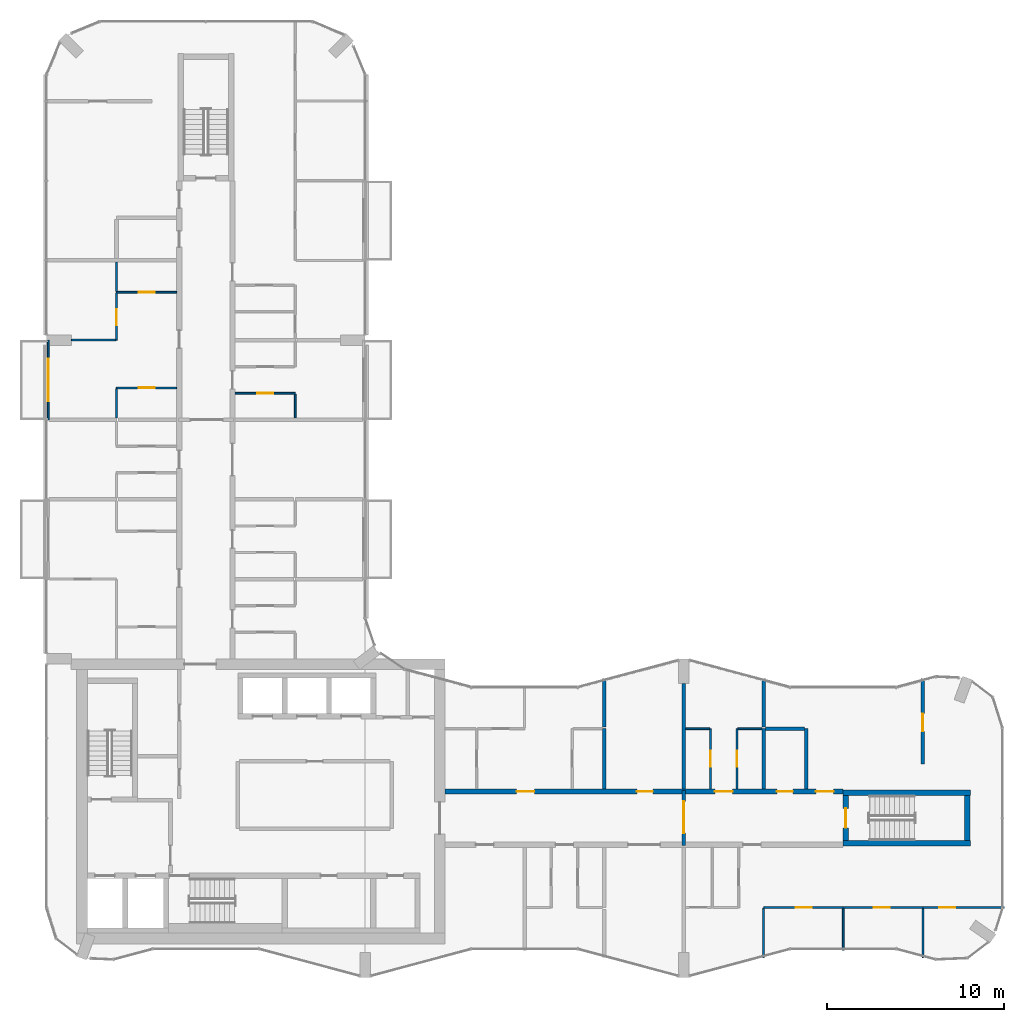
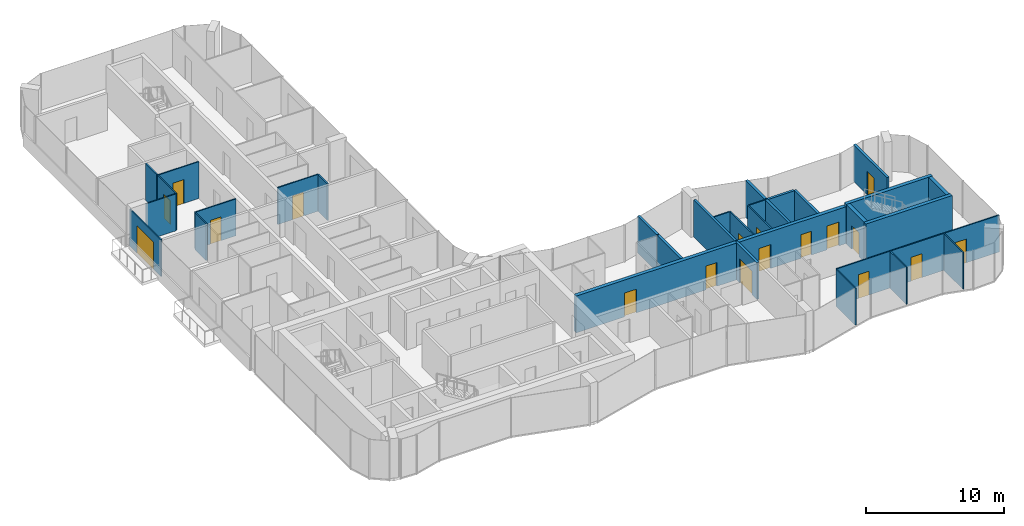
# One storey, part 12 of 17: 31 walls, 18 doors, 18 openings.
"""IFC4 building model written with IfcOpenShell, lengths in metres."""

import ifcopenshell
import ifcopenshell.guid

model = None  # the IFC model being written
_history = None  # IfcOwnerHistory: only IFC2X3 demands one
_inside = {}  # id of a spatial element -> (the spatial element, [elements in it])
_under = {}  # id of a project, library or spatial element -> (it, [spatial elements below it])
_declared = {}  # id of a project -> (the project, [libraries it declares])
_typed = {}  # id of a type object -> (the type object, [elements of that type])
_made_of = {}  # id of a material, layer set ... -> (it, [elements and type objects made of it])


def new_model(schema):
    """Start an empty IFC model of exactly this schema.

    Asked for "IFC4X3", IfcOpenShell would pick the latest addendum, in which some entities
    have other attributes; the version numbers below select the first issue.
    IFC2X3 requires an IfcOwnerHistory on every rooted entity: one is made here for all.
    """
    global model, _history
    if schema == "IFC4X3":
        model = ifcopenshell.file(schema_version=(4, 3, 0, 0))
    else:
        model = ifcopenshell.file(schema=schema)
    _inside.clear()
    _under.clear()
    _declared.clear()
    _typed.clear()
    _made_of.clear()
    _history = None
    if model.schema == "IFC2X3":
        org = make("IfcOrganization", Name="unknown")
        user = make(
            "IfcPersonAndOrganization",
            ThePerson=make("IfcPerson", FamilyName="unknown"),
            TheOrganization=org,
        )
        app = make(
            "IfcApplication",
            ApplicationDeveloper=org,
            Version="unknown",
            ApplicationFullName="unknown",
            ApplicationIdentifier="unknown",
        )
        _history = make(
            "IfcOwnerHistory",
            OwningUser=user,
            OwningApplication=app,
            ChangeAction="ADDED",
            CreationDate=0,
        )
    return model


def make(cls, **values):
    """One entity of the class cls with the attributes given. An attribute that is None is left unset."""
    return model.create_entity(
        cls, **{name: value for name, value in values.items() if value is not None}
    )


def rooted(cls, **values):
    """An entity with a GlobalId (a new one), such as an element, a storey or a relation."""
    return make(cls, GlobalId=ifcopenshell.guid.new(), OwnerHistory=_history, **values)


def si_unit(unit_type, name, prefix=None):
    """IfcSIUnit, for example si_unit("LENGTHUNIT", "METRE", prefix="MILLI")."""
    return make("IfcSIUnit", UnitType=unit_type, Prefix=prefix, Name=name)


def assignment(units):
    """IfcUnitAssignment: the units of a project."""
    return None if units is None else make("IfcUnitAssignment", Units=units)


def point(xyz):
    """IfcCartesianPoint."""
    return None if xyz is None else make("IfcCartesianPoint", Coordinates=xyz)


def direction(xyz):
    """IfcDirection."""
    return None if xyz is None else make("IfcDirection", DirectionRatios=xyz)


def frame(location, z_axis=None, x_axis=None):
    """IfcAxis2Placement3D, a coordinate frame: its origin and axes. An axis left out is left unset."""
    return make(
        "IfcAxis2Placement3D",
        Location=point(location),
        Axis=direction(z_axis),
        RefDirection=direction(x_axis),
    )


def frame_2d(location, x_axis=None):
    """IfcAxis2Placement2D, a coordinate frame in the plane: its origin and x axis."""
    return make(
        "IfcAxis2Placement2D", Location=point(location), RefDirection=direction(x_axis)
    )


def origin():
    """The frame at (0, 0, 0) with its axes left unset."""
    return frame((0.0, 0.0, 0.0))


def place(relative_to, where):
    """IfcLocalPlacement: puts the frame where relative to a parent placement (None: the world)."""
    return make(
        "IfcLocalPlacement", PlacementRelTo=relative_to, RelativePlacement=where
    )


def context(
    kind, dimensions, precision=None, world=None, true_north=None, identifier=None
):
    """IfcGeometricRepresentationContext, for example the 3D "Model" context."""
    return make(
        "IfcGeometricRepresentationContext",
        ContextIdentifier=identifier,
        ContextType=kind,
        CoordinateSpaceDimension=dimensions,
        Precision=precision,
        WorldCoordinateSystem=world,
        TrueNorth=true_north,
    )


def subcontext(parent, identifier, kind, view, scale=None):
    """IfcGeometricRepresentationSubContext, for example "Body" below "Model"."""
    return make(
        "IfcGeometricRepresentationSubContext",
        ContextIdentifier=identifier,
        ContextType=kind,
        ParentContext=parent,
        TargetScale=scale,
        TargetView=view,
    )


def project(units=None, contexts=None):
    """IfcProject with its units and contexts."""
    return rooted(
        "IfcProject",
        Name="project",
        RepresentationContexts=contexts,
        UnitsInContext=assignment(units),
    )


def spatial(cls, under=None, at=None, **own):
    """A site, building, storey or space (cls), placed at a placement, below another one or the project."""
    s = rooted(cls, ObjectPlacement=at, **own)
    if under is not None:
        _under.setdefault(under.id(), (under, []))[1].append(s)
    return s


def profile(cls, at=None, kind="AREA", **sizes):
    """A parametric profile (cls). Its sizes go by their IFC names, for example OverallWidth=200.0."""
    return make(cls, ProfileType=kind, Position=at, **sizes)


def rectangle(**sizes):
    """IfcRectangleProfileDef."""
    return profile("IfcRectangleProfileDef", **sizes)


def extrude(swept, where, along, depth):
    """IfcExtrudedAreaSolid: the profile swept, set in the frame where, extruded along a direction by depth."""
    return make(
        "IfcExtrudedAreaSolid",
        SweptArea=swept,
        Position=where,
        ExtrudedDirection=direction(along),
        Depth=depth,
    )


def shape(context_of_items, identifier, shape_type, items):
    """IfcShapeRepresentation: the items that make up one representation, for example the "Body"."""
    return make(
        "IfcShapeRepresentation",
        ContextOfItems=context_of_items,
        RepresentationIdentifier=identifier,
        RepresentationType=shape_type,
        Items=items,
    )


def material(Name=None, Category=None):
    """IfcMaterial."""
    return make("IfcMaterial", Name=Name, Category=Category)


def layer(
    of_material, thickness, ventilated=None, Name=None, Category=None, Priority=None
):
    """IfcMaterialLayer: one layer of a wall or slab, of a material (None: an air gap)."""
    return make(
        "IfcMaterialLayer",
        Material=of_material,
        LayerThickness=thickness,
        IsVentilated=ventilated,
        Name=Name,
        Category=Category,
        Priority=Priority,
    )


def layer_set(layers, Name=None):
    """IfcMaterialLayerSet."""
    return make("IfcMaterialLayerSet", MaterialLayers=layers, LayerSetName=Name)


def made_of(thing, what):
    """Note that an element or type object is made of a material, layer set ...; save() writes the relation."""
    if what is not None:
        _made_of.setdefault(what.id(), (what, []))[1].append(thing)
    return thing


def type_object(cls, material=None, **own):
    """A type object (cls), such as IfcWallType, which elements share."""
    return made_of(rooted(cls, **own), material)


def element(
    cls,
    number,
    at=None,
    inside=None,
    cuts=None,
    type_object=None,
    material=None,
    context=None,
    identifier="Body",
    shape_type=None,
    held_by="IfcProductDefinitionShape",
    body=None,
    shapes=None,
    **own,
):
    """One element of the class cls, such as IfcWall. Its Tag is "e" and its number.

    at: its placement. inside: the storey or other place that contains it. cuts: it is an
    opening in that element (IfcRelVoidsElement). A single representation is given by context,
    identifier, shape_type and body (its items); several are given by shapes. held_by: the class
    of the entity that holds the representations. save() writes the other relations.
    """
    e = rooted(cls, Tag="e%d" % number, ObjectPlacement=at, **own)
    if body is not None:
        shapes = [shape(context, identifier, shape_type, body)]
    if shapes is not None:
        e.Representation = make(held_by, Representations=shapes)
    if inside is not None:
        _inside.setdefault(inside.id(), (inside, []))[1].append(e)
    if cuts is not None:
        rooted(
            "IfcRelVoidsElement", RelatingBuildingElement=cuts, RelatedOpeningElement=e
        )
    if type_object is not None:
        _typed.setdefault(type_object.id(), (type_object, []))[1].append(e)
    return made_of(e, material)


def fill(opening, filler):
    """IfcRelFillsElement: the door or window that sits in an opening."""
    return rooted(
        "IfcRelFillsElement",
        RelatingOpeningElement=opening,
        RelatedBuildingElement=filler,
    )


def aggregate(whole, parts):
    """IfcRelAggregates: a whole, such as a stair, and the parts it consists of."""
    return rooted("IfcRelAggregates", RelatingObject=whole, RelatedObjects=parts)


def save(model, path):
    """Write the relations noted so far, then the file.

    IfcRelAggregates (storeys below a building ...), IfcRelContainedInSpatialStructure (elements
    in a storey), IfcRelDefinesByType, IfcRelAssociatesMaterial and IfcRelDeclares: one each for
    every whole, place, type object, material and project.
    """
    for whole, parts in _under.values():
        aggregate(whole, parts)
    for where, things in _inside.values():
        rooted(
            "IfcRelContainedInSpatialStructure",
            RelatedElements=things,
            RelatingStructure=where,
        )
    for kind, things in _typed.values():
        rooted("IfcRelDefinesByType", RelatedObjects=things, RelatingType=kind)
    for what, things in _made_of.values():
        rooted("IfcRelAssociatesMaterial", RelatedObjects=things, RelatingMaterial=what)
    for by, libraries in _declared.values():
        rooted("IfcRelDeclares", RelatingContext=by, RelatedDefinitions=libraries)
    model.write(path)


model = new_model("IFC4")

# Units and contexts
model_context = context("Model", 3, precision=1e-05, world=origin(), true_north=direction((0.0, 1.0)))
body_context = subcontext(model_context, "Body", "Model", "MODEL_VIEW")
ifc_project = project(units=[si_unit("LENGTHUNIT", "METRE"), si_unit("AREAUNIT", "SQUARE_METRE"), si_unit("VOLUMEUNIT", "CUBIC_METRE"), si_unit("PLANEANGLEUNIT", "RADIAN"), si_unit("MASSUNIT", "GRAM", prefix="KILO")], contexts=[model_context])

# Site, building, storey
site_placement = place(None, origin())
site = spatial("IfcSite", under=ifc_project, at=site_placement, CompositionType="ELEMENT")
building_placement = place(site_placement, origin())
building = spatial("IfcBuilding", under=site, at=building_placement, Name="Plateau Cross Towers", CompositionType="ELEMENT")
storey_placement = place(building_placement, frame((0.0, 0.0, 142.89990234375)))
storey = spatial("IfcBuildingStorey", under=building, at=storey_placement, Name="L36", CompositionType="ELEMENT", Elevation=142.89990234375)

# Wall, opening, door
ifc_material_1 = material(Name="Aluminium framed glazing", Category="aluminium")
ifc_layer_1 = layer(ifc_material_1, 0.10009765625)
ifc_layer_set_1 = layer_set([ifc_layer_1], Name="Aluminium framed glazing")
wall_type_1 = type_object("IfcWallType", Name="Balcony screen wall 100", PredefinedType="STANDARD", material=ifc_layer_set_1)
wall_1_placement = place(storey_placement, frame((0.10009765625, 31.5, 0.0), z_axis=(0.0, 0.0, 1.0), x_axis=(0.0, 1.0, 0.0)))
wall_1 = element("IfcWall", 1, at=wall_1_placement, inside=storey, type_object=wall_type_1, Name="Balcony screen wall A-BAL-L36-02", PredefinedType="STANDARD", context=body_context, shape_type="SweptSolid", body=[
    extrude(rectangle(XDim=4.5, YDim=0.10009765625, at=frame_2d((2.25, 0.0))), origin(), (0.0, 0.0, 1.0), 3.25),
])
opening_1_placement = place(wall_1_placement, frame((1.050048828125, 0.0, 0.0)))
opening_1 = element("IfcOpeningElement", 2, at=opening_1_placement, cuts=wall_1, Name="Opening D-B24", PredefinedType="OPENING", context=body_context, shape_type="SweptSolid", body=[
    extrude(rectangle(XDim=2.39990234375, YDim=2.39990234375, at=frame_2d((1.199951171875, 1.199951171875))), frame((0.0, 0.06005859375, 0.0), z_axis=(0.0, -1.0, 0.0), x_axis=(1.0, 0.0, 0.0)), (0.0, 0.0, 1.0), 0.1201171875),
])
ifc_material_2 = material(Name="Aluminium frame, double glazing", Category="aluminium")
door_type_1 = type_object("IfcDoorType", Name="Balcony sliding door 2400", OperationType="NOTDEFINED", PredefinedType="DOOR", material=ifc_material_2)
door_1_placement = place(opening_1_placement, origin())
door_1 = element("IfcDoor", 3, at=door_1_placement, inside=storey, type_object=door_type_1, Name="Balcony door A-BAL-L36-02", OperationType="SINGLE_SWING_LEFT", OverallHeight=2.39990234375, OverallWidth=2.39990234375, PredefinedType="DOOR", context=body_context, shape_type="SweptSolid", body=[
    extrude(rectangle(XDim=2.39990234375, YDim=2.39990234375, at=frame_2d((1.199951171875, 1.199951171875))), frame((0.0, 0.02490234375, 0.0), z_axis=(0.0, -1.0, 0.0), x_axis=(1.0, 0.0, 0.0)), (0.0, 0.0, 1.0), 0.050048828125),
])
fill(opening_1, door_1)

# Wall, openings, doors
ifc_material_3 = material(Name="Concrete C60/75", Category="concrete")
ifc_layer_2 = layer(ifc_material_3, 0.300048828125)
ifc_layer_set_2 = layer_set([ifc_layer_2], Name="Concrete C60/75")
wall_type_2 = type_object("IfcWallType", Name="Corridor wall 300", PredefinedType="SHEAR", material=ifc_layer_set_2)
wall_2_placement = place(storey_placement, frame((22.5, 10.5, 0.0), z_axis=(0.0, 0.0, 1.0), x_axis=(1.0, 0.0, 0.0)))
wall_2 = element("IfcWall", 4, at=wall_2_placement, inside=storey, type_object=wall_type_2, Name="A-cw-S2@L36", PredefinedType="SHEAR", context=body_context, shape_type="SweptSolid", body=[
    extrude(rectangle(XDim=22.5, YDim=0.300048828125, at=frame_2d((11.25, 0.0))), origin(), (0.0, 0.0, 1.0), 3.25),
])
opening_2_placement = place(wall_2_placement, frame((4.050048828125, 0.0, 0.0)))
opening_2 = element("IfcOpeningElement", 5, at=opening_2_placement, cuts=wall_2, Name="Opening 36-05", PredefinedType="OPENING", context=body_context, shape_type="SweptSolid", body=[
    extrude(rectangle(XDim=1.0, YDim=2.10009765625, at=frame_2d((0.5, 1.050048828125))), frame((0.0, 0.159912109375, 0.0), z_axis=(0.0, -1.0, 0.0), x_axis=(1.0, 0.0, 0.0)), (0.0, 0.0, 1.0), 0.320068359375),
])
opening_3_placement = place(wall_2_placement, frame((10.85009765625, 0.0, 0.0)))
opening_3 = element("IfcOpeningElement", 6, at=opening_3_placement, cuts=wall_2, Name="Opening 36-06", PredefinedType="OPENING", context=body_context, shape_type="SweptSolid", body=[
    extrude(rectangle(XDim=0.89990234375, YDim=2.10009765625, at=frame_2d((0.449951171875, 1.050048828125))), frame((0.0, 0.159912109375, 0.0), z_axis=(0.0, -1.0, 0.0), x_axis=(1.0, 0.0, 0.0)), (0.0, 0.0, 1.0), 0.320068359375),
])
opening_4_placement = place(wall_2_placement, frame((15.25, 0.0, 0.0)))
opening_4 = element("IfcOpeningElement", 7, at=opening_4_placement, cuts=wall_2, Name="Opening 36-07", PredefinedType="OPENING", context=body_context, shape_type="SweptSolid", body=[
    extrude(rectangle(XDim=1.0, YDim=2.10009765625, at=frame_2d((0.5, 1.050048828125))), frame((0.0, 0.159912109375, 0.0), z_axis=(0.0, -1.0, 0.0), x_axis=(1.0, 0.0, 0.0)), (0.0, 0.0, 1.0), 0.320068359375),
])
opening_5_placement = place(wall_2_placement, frame((18.75, 0.0, 0.0)))
opening_5 = element("IfcOpeningElement", 8, at=opening_5_placement, cuts=wall_2, Name="Opening 36-08", PredefinedType="OPENING", context=body_context, shape_type="SweptSolid", body=[
    extrude(rectangle(XDim=0.89990234375, YDim=2.10009765625, at=frame_2d((0.449951171875, 1.050048828125))), frame((0.0, 0.159912109375, 0.0), z_axis=(0.0, -1.0, 0.0), x_axis=(1.0, 0.0, 0.0)), (0.0, 0.0, 1.0), 0.320068359375),
])
opening_6_placement = place(wall_2_placement, frame((20.949951171875, 0.0, 0.0)))
opening_6 = element("IfcOpeningElement", 9, at=opening_6_placement, cuts=wall_2, Name="Opening 36-09", PredefinedType="OPENING", context=body_context, shape_type="SweptSolid", body=[
    extrude(rectangle(XDim=1.0, YDim=2.10009765625, at=frame_2d((0.5, 1.050048828125))), frame((0.0, 0.159912109375, 0.0), z_axis=(0.0, -1.0, 0.0), x_axis=(1.0, 0.0, 0.0)), (0.0, 0.0, 1.0), 0.320068359375),
])
ifc_material_4 = material(Name="Timber, fire-resisting leaf", Category="wood")
door_type_2 = type_object("IfcDoorType", Name="Flat entrance door 1000", OperationType="NOTDEFINED", PredefinedType="DOOR", material=ifc_material_4)
door_2_placement = place(opening_2_placement, origin())
door_2 = element("IfcDoor", 10, at=door_2_placement, inside=storey, type_object=door_type_2, Name="Door 36-05", OperationType="SINGLE_SWING_LEFT", OverallHeight=2.10009765625, OverallWidth=1.0, PredefinedType="DOOR", context=body_context, shape_type="SweptSolid", body=[
    extrude(rectangle(XDim=1.0, YDim=2.10009765625, at=frame_2d((0.5, 1.050048828125))), frame((0.0, 0.02490234375, 0.0), z_axis=(0.0, -1.0, 0.0), x_axis=(1.0, 0.0, 0.0)), (0.0, 0.0, 1.0), 0.050048828125),
])
fill(opening_2, door_2)
door_3_placement = place(opening_4_placement, origin())
door_3 = element("IfcDoor", 11, at=door_3_placement, inside=storey, type_object=door_type_2, Name="Door 36-07", OperationType="SINGLE_SWING_RIGHT", OverallHeight=2.10009765625, OverallWidth=1.0, PredefinedType="DOOR", context=body_context, shape_type="SweptSolid", body=[
    extrude(rectangle(XDim=1.0, YDim=2.10009765625, at=frame_2d((0.5, 1.050048828125))), frame((0.0, 0.02490234375, 0.0), z_axis=(0.0, -1.0, 0.0), x_axis=(1.0, 0.0, 0.0)), (0.0, 0.0, 1.0), 0.050048828125),
])
fill(opening_4, door_3)
door_4_placement = place(opening_6_placement, origin())
door_4 = element("IfcDoor", 12, at=door_4_placement, inside=storey, type_object=door_type_2, Name="Door 36-09", OperationType="SINGLE_SWING_RIGHT", OverallHeight=2.10009765625, OverallWidth=1.0, PredefinedType="DOOR", context=body_context, shape_type="SweptSolid", body=[
    extrude(rectangle(XDim=1.0, YDim=2.10009765625, at=frame_2d((0.5, 1.050048828125))), frame((0.0, 0.02490234375, 0.0), z_axis=(0.0, -1.0, 0.0), x_axis=(1.0, 0.0, 0.0)), (0.0, 0.0, 1.0), 0.050048828125),
])
fill(opening_6, door_4)
door_type_3 = type_object("IfcDoorType", Name="Flat floor service door 900", OperationType="NOTDEFINED", PredefinedType="DOOR", material=ifc_material_4)
door_5_placement = place(opening_3_placement, origin())
door_5 = element("IfcDoor", 13, at=door_5_placement, inside=storey, type_object=door_type_3, Name="Door 36-06", OperationType="SINGLE_SWING_RIGHT", OverallHeight=2.10009765625, OverallWidth=0.89990234375, PredefinedType="DOOR", context=body_context, shape_type="SweptSolid", body=[
    extrude(rectangle(XDim=0.89990234375, YDim=2.10009765625, at=frame_2d((0.449951171875, 1.050048828125))), frame((0.0, 0.02490234375, 0.0), z_axis=(0.0, -1.0, 0.0), x_axis=(1.0, 0.0, 0.0)), (0.0, 0.0, 1.0), 0.050048828125),
])
fill(opening_3, door_5)
door_6_placement = place(opening_5_placement, origin())
door_6 = element("IfcDoor", 14, at=door_6_placement, inside=storey, type_object=door_type_3, Name="Door 36-08", OperationType="SINGLE_SWING_RIGHT", OverallHeight=2.10009765625, OverallWidth=0.89990234375, PredefinedType="DOOR", context=body_context, shape_type="SweptSolid", body=[
    extrude(rectangle(XDim=0.89990234375, YDim=2.10009765625, at=frame_2d((0.449951171875, 1.050048828125))), frame((0.0, 0.02490234375, 0.0), z_axis=(0.0, -1.0, 0.0), x_axis=(1.0, 0.0, 0.0)), (0.0, 0.0, 1.0), 0.050048828125),
])
fill(opening_5, door_6)

ifc_material_5 = material(Name="Gypsum board on steel studs", Category="steel")
ifc_layer_3 = layer(ifc_material_5, 0.10009765625)
ifc_layer_set_3 = layer_set([ifc_layer_3], Name="Gypsum board on steel studs")
wall_type_3 = type_object("IfcWallType", Name="Flat partition 100", PredefinedType="PARTITIONING", material=ifc_layer_set_3)
wall_3_placement = place(storey_placement, frame((54.080078125, 3.949951171875, 0.0), z_axis=(0.0, 0.0, 1.0), x_axis=(-1.0, 0.0, 0.0)))
wall_3 = element("IfcWall", 15, at=wall_3_placement, inside=storey, type_object=wall_type_3, Name="Partition wall", PredefinedType="PARTITIONING", context=body_context, shape_type="SweptSolid", body=[
    extrude(rectangle(XDim=13.580078125, YDim=0.10009765625, at=frame_2d((6.7900390625, 0.0))), origin(), (0.0, 0.0, 1.0), 3.25),
])
opening_7_placement = place(wall_3_placement, frame((10.85009765625, 0.0, 0.0)))
opening_7 = element("IfcOpeningElement", 16, at=opening_7_placement, cuts=wall_3, Name="Opening 36-28", PredefinedType="OPENING", context=body_context, shape_type="SweptSolid", body=[
    extrude(rectangle(XDim=0.89990234375, YDim=2.10009765625, at=frame_2d((0.449951171875, 1.050048828125))), frame((0.0, 0.06005859375, 0.0), z_axis=(0.0, -1.0, 0.0), x_axis=(1.0, 0.0, 0.0)), (0.0, 0.0, 1.0), 0.1201171875),
])
opening_8_placement = place(wall_3_placement, frame((6.449951171875, 0.0, 0.0)))
opening_8 = element("IfcOpeningElement", 17, at=opening_8_placement, cuts=wall_3, Name="Opening 36-29", PredefinedType="OPENING", context=body_context, shape_type="SweptSolid", body=[
    extrude(rectangle(XDim=0.89990234375, YDim=2.10009765625, at=frame_2d((0.449951171875, 1.050048828125))), frame((0.0, 0.06005859375, 0.0), z_axis=(0.0, -1.0, 0.0), x_axis=(1.0, 0.0, 0.0)), (0.0, 0.0, 1.0), 0.1201171875),
])
opening_9_placement = place(wall_3_placement, frame((2.75, 0.0, 0.0)))
opening_9 = element("IfcOpeningElement", 18, at=opening_9_placement, cuts=wall_3, Name="Opening 36-30", PredefinedType="OPENING", context=body_context, shape_type="SweptSolid", body=[
    extrude(rectangle(XDim=0.89990234375, YDim=2.10009765625, at=frame_2d((0.449951171875, 1.050048828125))), frame((0.0, 0.06005859375, 0.0), z_axis=(0.0, -1.0, 0.0), x_axis=(1.0, 0.0, 0.0)), (0.0, 0.0, 1.0), 0.1201171875),
])
ifc_material_6 = material(Name="Timber leaf", Category="wood")
door_type_4 = type_object("IfcDoorType", Name="Flat room door 900", OperationType="NOTDEFINED", PredefinedType="DOOR", material=ifc_material_6)
door_7_placement = place(opening_7_placement, origin())
door_7 = element("IfcDoor", 19, at=door_7_placement, inside=storey, type_object=door_type_4, Name="Door 36-28", OperationType="SINGLE_SWING_RIGHT", OverallHeight=2.10009765625, OverallWidth=0.89990234375, PredefinedType="DOOR", context=body_context, shape_type="SweptSolid", body=[
    extrude(rectangle(XDim=0.89990234375, YDim=2.10009765625, at=frame_2d((0.449951171875, 1.050048828125))), frame((0.0, 0.02490234375, 0.0), z_axis=(0.0, -1.0, 0.0), x_axis=(1.0, 0.0, 0.0)), (0.0, 0.0, 1.0), 0.050048828125),
])
fill(opening_7, door_7)
door_8_placement = place(opening_8_placement, origin())
door_8 = element("IfcDoor", 20, at=door_8_placement, inside=storey, type_object=door_type_4, Name="Door 36-29", OperationType="SINGLE_SWING_RIGHT", OverallHeight=2.10009765625, OverallWidth=0.89990234375, PredefinedType="DOOR", context=body_context, shape_type="SweptSolid", body=[
    extrude(rectangle(XDim=0.89990234375, YDim=2.10009765625, at=frame_2d((0.449951171875, 1.050048828125))), frame((0.0, 0.02490234375, 0.0), z_axis=(0.0, -1.0, 0.0), x_axis=(1.0, 0.0, 0.0)), (0.0, 0.0, 1.0), 0.050048828125),
])
fill(opening_8, door_8)
door_9_placement = place(opening_9_placement, origin())
door_9 = element("IfcDoor", 21, at=door_9_placement, inside=storey, type_object=door_type_4, Name="Door 36-30", OperationType="SINGLE_SWING_LEFT", OverallHeight=2.10009765625, OverallWidth=0.89990234375, PredefinedType="DOOR", context=body_context, shape_type="SweptSolid", body=[
    extrude(rectangle(XDim=0.89990234375, YDim=2.10009765625, at=frame_2d((0.449951171875, 1.050048828125))), frame((0.0, 0.02490234375, 0.0), z_axis=(0.0, -1.0, 0.0), x_axis=(1.0, 0.0, 0.0)), (0.0, 0.0, 1.0), 0.050048828125),
])
fill(opening_9, door_9)

# Walls
for number, where, z_axis, x_axis, name in (
    (22, (37.449951171875, 14.050048828125, 0.0), (0.0, 0.0, 1.0), (-1.0, 0.0, 0.0), "Partition wall"),
    (23, (40.39990234375, 14.050048828125, 0.0), (0.0, 0.0, 1.0), (-1.0, 0.0, 0.0), "Partition wall"),
):
    element("IfcWall", number, at=place(storey_placement, frame(where, z_axis=z_axis, x_axis=x_axis)), inside=storey, type_object=wall_type_3, Name=name, PredefinedType="PARTITIONING", context=body_context, shape_type="SweptSolid", body=[
        extrude(rectangle(XDim=1.349853515625, YDim=0.10009765625, at=frame_2d((0.6748046875, 0.0))), origin(), (0.0, 0.0, 1.0), 3.25),
    ])

# Wall, opening, door
wall_4_placement = place(storey_placement, frame((14.050048828125, 33.0, 0.0), z_axis=(0.0, 0.0, 1.0), x_axis=(-1.0, 0.0, 0.0)))
wall_4 = element("IfcWall", 24, at=wall_4_placement, inside=storey, type_object=wall_type_3, Name="Partition wall", PredefinedType="PARTITIONING", context=body_context, shape_type="SweptSolid", body=[
    extrude(rectangle(XDim=3.400146484375, YDim=0.10009765625, at=frame_2d((1.7001953125, 0.0))), origin(), (0.0, 0.0, 1.0), 3.25),
])
opening_10_placement = place(wall_4_placement, frame((1.25, 0.0, 0.0)))
opening_10 = element("IfcOpeningElement", 25, at=opening_10_placement, cuts=wall_4, Name="Opening 36-48", PredefinedType="OPENING", context=body_context, shape_type="SweptSolid", body=[
    extrude(rectangle(XDim=0.89990234375, YDim=2.10009765625, at=frame_2d((0.449951171875, 1.050048828125))), frame((0.0, 0.06005859375, 0.0), z_axis=(0.0, -1.0, 0.0), x_axis=(1.0, 0.0, 0.0)), (0.0, 0.0, 1.0), 0.1201171875),
])
door_10_placement = place(opening_10_placement, origin())
door_10 = element("IfcDoor", 26, at=door_10_placement, inside=storey, type_object=door_type_4, Name="Door 36-48", OperationType="SINGLE_SWING_LEFT", OverallHeight=2.10009765625, OverallWidth=0.89990234375, PredefinedType="DOOR", context=body_context, shape_type="SweptSolid", body=[
    extrude(rectangle(XDim=0.89990234375, YDim=2.10009765625, at=frame_2d((0.449951171875, 1.050048828125))), frame((0.0, 0.02490234375, 0.0), z_axis=(0.0, -1.0, 0.0), x_axis=(1.0, 0.0, 0.0)), (0.0, 0.0, 1.0), 0.050048828125),
])
fill(opening_10, door_10)

wall_5_placement = place(storey_placement, frame((7.35009765625, 33.300048828125, 0.0), z_axis=(0.0, 0.0, 1.0), x_axis=(-1.0, 0.0, 0.0)))
wall_5 = element("IfcWall", 27, at=wall_5_placement, inside=storey, type_object=wall_type_3, Name="Partition wall", PredefinedType="PARTITIONING", context=body_context, shape_type="SweptSolid", body=[
    extrude(rectangle(XDim=3.400146484375, YDim=0.10009765625, at=frame_2d((1.7001953125, 0.0))), origin(), (0.0, 0.0, 1.0), 3.25),
])
opening_11_placement = place(wall_5_placement, frame((1.25, 0.0, 0.0)))
opening_11 = element("IfcOpeningElement", 28, at=opening_11_placement, cuts=wall_5, Name="Opening 36-41", PredefinedType="OPENING", context=body_context, shape_type="SweptSolid", body=[
    extrude(rectangle(XDim=0.89990234375, YDim=2.10009765625, at=frame_2d((0.449951171875, 1.050048828125))), frame((0.0, 0.06005859375, 0.0), z_axis=(0.0, -1.0, 0.0), x_axis=(1.0, 0.0, 0.0)), (0.0, 0.0, 1.0), 0.1201171875),
])
door_11_placement = place(opening_11_placement, origin())
door_11 = element("IfcDoor", 29, at=door_11_placement, inside=storey, type_object=door_type_4, Name="Door 36-41", OperationType="SINGLE_SWING_RIGHT", OverallHeight=2.10009765625, OverallWidth=0.89990234375, PredefinedType="DOOR", context=body_context, shape_type="SweptSolid", body=[
    extrude(rectangle(XDim=0.89990234375, YDim=2.10009765625, at=frame_2d((0.449951171875, 1.050048828125))), frame((0.0, 0.02490234375, 0.0), z_axis=(0.0, -1.0, 0.0), x_axis=(1.0, 0.0, 0.0)), (0.0, 0.0, 1.0), 0.050048828125),
])
fill(opening_11, door_11)

# Wall
wall_6_placement = place(storey_placement, frame((1.39990234375, 36.0, 0.0), z_axis=(0.0, 0.0, 1.0), x_axis=(1.0, 0.0, 0.0)))
element("IfcWall", 30, at=wall_6_placement, inside=storey, type_object=wall_type_3, Name="Partition wall", PredefinedType="PARTITIONING", context=body_context, shape_type="SweptSolid", body=[
    extrude(rectangle(XDim=2.5, YDim=0.10009765625, at=frame_2d((1.25, 0.0))), origin(), (0.0, 0.0, 1.0), 3.25),
])

# Wall, opening, door
wall_7_placement = place(storey_placement, frame((3.949951171875, 38.699951171875, 0.0), z_axis=(0.0, 0.0, 1.0), x_axis=(1.0, 0.0, 0.0)))
wall_7 = element("IfcWall", 31, at=wall_7_placement, inside=storey, type_object=wall_type_3, Name="Partition wall", PredefinedType="PARTITIONING", context=body_context, shape_type="SweptSolid", body=[
    extrude(rectangle(XDim=3.400146484375, YDim=0.10009765625, at=frame_2d((1.7001953125, 0.0))), origin(), (0.0, 0.0, 1.0), 3.25),
])
opening_12_placement = place(wall_7_placement, frame((1.25, 0.0, 0.0)))
opening_12 = element("IfcOpeningElement", 32, at=opening_12_placement, cuts=wall_7, Name="Opening 36-42", PredefinedType="OPENING", context=body_context, shape_type="SweptSolid", body=[
    extrude(rectangle(XDim=0.89990234375, YDim=2.10009765625, at=frame_2d((0.449951171875, 1.050048828125))), frame((0.0, 0.06005859375, 0.0), z_axis=(0.0, -1.0, 0.0), x_axis=(1.0, 0.0, 0.0)), (0.0, 0.0, 1.0), 0.1201171875),
])
door_12_placement = place(opening_12_placement, origin())
door_12 = element("IfcDoor", 33, at=door_12_placement, inside=storey, type_object=door_type_4, Name="Door 36-42", OperationType="SINGLE_SWING_RIGHT", OverallHeight=2.10009765625, OverallWidth=0.89990234375, PredefinedType="DOOR", context=body_context, shape_type="SweptSolid", body=[
    extrude(rectangle(XDim=0.89990234375, YDim=2.10009765625, at=frame_2d((0.449951171875, 1.050048828125))), frame((0.0, 0.02490234375, 0.0), z_axis=(0.0, -1.0, 0.0), x_axis=(1.0, 0.0, 0.0)), (0.0, 0.0, 1.0), 0.050048828125),
])
fill(opening_12, door_12)

# Walls
for number, where, z_axis, x_axis, name in (
    (34, (3.949951171875, 33.25, 0.0), (0.0, 0.0, 1.0), (0.0, -1.0, 0.0), "Partition wall"),
    (35, (3.949951171875, 40.39990234375, 0.0), (0.0, 0.0, 1.0), (0.0, -1.0, 0.0), "Partition wall"),
):
    element("IfcWall", number, at=place(storey_placement, frame(where, z_axis=z_axis, x_axis=x_axis)), inside=storey, type_object=wall_type_3, Name=name, PredefinedType="PARTITIONING", context=body_context, shape_type="SweptSolid", body=[
        extrude(rectangle(XDim=1.64990234375, YDim=0.10009765625, at=frame_2d((0.824951171875, 0.0))), origin(), (0.0, 0.0, 1.0), 3.25),
    ])

# Wall, opening, door
wall_8_placement = place(storey_placement, frame((3.949951171875, 36.0, 0.0), z_axis=(0.0, 0.0, 1.0), x_axis=(0.0, 1.0, 0.0)))
wall_8 = element("IfcWall", 36, at=wall_8_placement, inside=storey, type_object=wall_type_3, Name="Partition wall", PredefinedType="PARTITIONING", context=body_context, shape_type="SweptSolid", body=[
    extrude(rectangle(XDim=2.64990234375, YDim=0.10009765625, at=frame_2d((1.324951171875, 0.0))), origin(), (0.0, 0.0, 1.0), 3.25),
])
opening_13_placement = place(wall_8_placement, frame((0.85009765625, 0.0, 0.0)))
opening_13 = element("IfcOpeningElement", 37, at=opening_13_placement, cuts=wall_8, Name="Opening 36-43", PredefinedType="OPENING", context=body_context, shape_type="SweptSolid", body=[
    extrude(rectangle(XDim=0.89990234375, YDim=2.10009765625, at=frame_2d((0.449951171875, 1.050048828125))), frame((0.0, 0.06005859375, 0.0), z_axis=(0.0, -1.0, 0.0), x_axis=(1.0, 0.0, 0.0)), (0.0, 0.0, 1.0), 0.1201171875),
])
door_13_placement = place(opening_13_placement, origin())
door_13 = element("IfcDoor", 38, at=door_13_placement, inside=storey, type_object=door_type_4, Name="Door 36-43", OperationType="SINGLE_SWING_LEFT", OverallHeight=2.10009765625, OverallWidth=0.89990234375, PredefinedType="DOOR", context=body_context, shape_type="SweptSolid", body=[
    extrude(rectangle(XDim=0.89990234375, YDim=2.10009765625, at=frame_2d((0.449951171875, 1.050048828125))), frame((0.0, 0.02490234375, 0.0), z_axis=(0.0, -1.0, 0.0), x_axis=(1.0, 0.0, 0.0)), (0.0, 0.0, 1.0), 0.050048828125),
])
fill(opening_13, door_13)

# Wall
wall_9_placement = place(storey_placement, frame((14.050048828125, 31.60009765625, 0.0), z_axis=(0.0, 0.0, 1.0), x_axis=(0.0, 1.0, 0.0)))
element("IfcWall", 39, at=wall_9_placement, inside=storey, type_object=wall_type_3, Name="Partition wall", PredefinedType="PARTITIONING", context=body_context, shape_type="SweptSolid", body=[
    extrude(rectangle(XDim=1.349853515625, YDim=0.10009765625, at=frame_2d((0.6748046875, 0.0))), origin(), (0.0, 0.0, 1.0), 3.25),
])

# Wall, opening, door
wall_10_placement = place(storey_placement, frame((37.5, 10.64990234375, 0.0), z_axis=(0.0, 0.0, 1.0), x_axis=(0.0, 1.0, 0.0)))
wall_10 = element("IfcWall", 40, at=wall_10_placement, inside=storey, type_object=wall_type_3, Name="Partition wall", PredefinedType="PARTITIONING", context=body_context, shape_type="SweptSolid", body=[
    extrude(rectangle(XDim=3.400146484375, YDim=0.10009765625, at=frame_2d((1.7001953125, 0.0))), origin(), (0.0, 0.0, 1.0), 3.25),
])
opening_14_placement = place(wall_10_placement, frame((1.25, 0.0, 0.0)))
opening_14 = element("IfcOpeningElement", 41, at=opening_14_placement, cuts=wall_10, Name="Opening 36-34", PredefinedType="OPENING", context=body_context, shape_type="SweptSolid", body=[
    extrude(rectangle(XDim=0.89990234375, YDim=2.10009765625, at=frame_2d((0.449951171875, 1.050048828125))), frame((0.0, 0.06005859375, 0.0), z_axis=(0.0, -1.0, 0.0), x_axis=(1.0, 0.0, 0.0)), (0.0, 0.0, 1.0), 0.1201171875),
])
door_14_placement = place(opening_14_placement, origin())
door_14 = element("IfcDoor", 42, at=door_14_placement, inside=storey, type_object=door_type_4, Name="Door 36-34", OperationType="SINGLE_SWING_LEFT", OverallHeight=2.10009765625, OverallWidth=0.89990234375, PredefinedType="DOOR", context=body_context, shape_type="SweptSolid", body=[
    extrude(rectangle(XDim=0.89990234375, YDim=2.10009765625, at=frame_2d((0.449951171875, 1.050048828125))), frame((0.0, 0.02490234375, 0.0), z_axis=(0.0, -1.0, 0.0), x_axis=(1.0, 0.0, 0.0)), (0.0, 0.0, 1.0), 0.050048828125),
])
fill(opening_14, door_14)

wall_11_placement = place(storey_placement, frame((39.0, 14.050048828125, 0.0), z_axis=(0.0, 0.0, 1.0), x_axis=(0.0, -1.0, 0.0)))
wall_11 = element("IfcWall", 43, at=wall_11_placement, inside=storey, type_object=wall_type_3, Name="Partition wall", PredefinedType="PARTITIONING", context=body_context, shape_type="SweptSolid", body=[
    extrude(rectangle(XDim=3.400146484375, YDim=0.10009765625, at=frame_2d((1.7001953125, 0.0))), origin(), (0.0, 0.0, 1.0), 3.25),
])
opening_15_placement = place(wall_11_placement, frame((1.25, 0.0, 0.0)))
opening_15 = element("IfcOpeningElement", 44, at=opening_15_placement, cuts=wall_11, Name="Opening 36-35", PredefinedType="OPENING", context=body_context, shape_type="SweptSolid", body=[
    extrude(rectangle(XDim=0.89990234375, YDim=2.10009765625, at=frame_2d((0.449951171875, 1.050048828125))), frame((0.0, 0.06005859375, 0.0), z_axis=(0.0, -1.0, 0.0), x_axis=(1.0, 0.0, 0.0)), (0.0, 0.0, 1.0), 0.1201171875),
])
door_15_placement = place(opening_15_placement, origin())
door_15 = element("IfcDoor", 45, at=door_15_placement, inside=storey, type_object=door_type_4, Name="Door 36-35", OperationType="SINGLE_SWING_LEFT", OverallHeight=2.10009765625, OverallWidth=0.89990234375, PredefinedType="DOOR", context=body_context, shape_type="SweptSolid", body=[
    extrude(rectangle(XDim=0.89990234375, YDim=2.10009765625, at=frame_2d((0.449951171875, 1.050048828125))), frame((0.0, 0.02490234375, 0.0), z_axis=(0.0, -1.0, 0.0), x_axis=(1.0, 0.0, 0.0)), (0.0, 0.0, 1.0), 0.050048828125),
])
fill(opening_15, door_15)

# Walls
wall_12_placement = place(storey_placement, frame((40.5, 3.89990234375, 0.0), z_axis=(0.0, 0.0, 1.0), x_axis=(0.0, -1.0, 0.0)))
element("IfcWall", 46, at=wall_12_placement, inside=storey, type_object=wall_type_3, Name="Partition wall", PredefinedType="PARTITIONING", context=body_context, shape_type="SweptSolid", body=[
    extrude(rectangle(XDim=2.777587890625, YDim=0.10009765625, at=frame_2d((1.388671875, 0.0))), origin(), (0.0, 0.0, 1.0), 3.25),
])
wall_13_placement = place(storey_placement, frame((45.0, 1.52685546875, 0.0), z_axis=(0.0, 0.0, 1.0), x_axis=(0.0, 1.0, 0.0)))
element("IfcWall", 47, at=wall_13_placement, inside=storey, type_object=wall_type_3, Name="Partition wall", PredefinedType="PARTITIONING", context=body_context, shape_type="SweptSolid", body=[
    extrude(rectangle(XDim=2.373046875, YDim=0.10009765625, at=frame_2d((1.1865234375, 0.0))), origin(), (0.0, 0.0, 1.0), 3.25),
])
wall_14_placement = place(storey_placement, frame((49.5, 1.122314453125, 0.0), z_axis=(0.0, 0.0, 1.0), x_axis=(0.0, 1.0, 0.0)))
element("IfcWall", 48, at=wall_14_placement, inside=storey, type_object=wall_type_3, Name="Partition wall", PredefinedType="PARTITIONING", context=body_context, shape_type="SweptSolid", body=[
    extrude(rectangle(XDim=2.777587890625, YDim=0.10009765625, at=frame_2d((1.388671875, 0.0))), origin(), (0.0, 0.0, 1.0), 3.25),
])
ifc_material_7 = material(Name="Gypsum board on steel studs, two layers each side", Category="steel")
ifc_layer_4 = layer(ifc_material_7, 0.199951171875)
ifc_layer_set_4 = layer_set([ifc_layer_4], Name="Gypsum board on steel studs, two layers each side")
wall_type_4 = type_object("IfcWallType", Name="Flat party wall 200", PredefinedType="PARTITIONING", material=ifc_layer_set_4)
wall_15_placement = place(storey_placement, frame((42.800048828125, 14.050048828125, 0.0), z_axis=(0.0, 0.0, 1.0), x_axis=(-1.0, 0.0, 0.0)))
element("IfcWall", 49, at=wall_15_placement, inside=storey, type_object=wall_type_4, Name="Party wall", PredefinedType="PARTITIONING", context=body_context, shape_type="SweptSolid", body=[
    extrude(rectangle(XDim=2.199951171875, YDim=0.199951171875, at=frame_2d((1.10009765625, 0.0))), origin(), (0.0, 0.0, 1.0), 3.25),
])
wall_16_placement = place(storey_placement, frame((31.5, 16.877685546875, 0.0), z_axis=(0.0, 0.0, 1.0), x_axis=(0.0, -1.0, 0.0)))
element("IfcWall", 50, at=wall_16_placement, inside=storey, type_object=wall_type_4, Name="Party wall", PredefinedType="PARTITIONING", context=body_context, shape_type="SweptSolid", body=[
    extrude(rectangle(XDim=2.727783203125, YDim=0.199951171875, at=frame_2d((1.36376953125, 0.0))), origin(), (0.0, 0.0, 1.0), 3.25),
])
wall_17_placement = place(storey_placement, frame((31.5, 10.64990234375, 0.0), z_axis=(0.0, 0.0, 1.0), x_axis=(0.0, 1.0, 0.0)))
element("IfcWall", 51, at=wall_17_placement, inside=storey, type_object=wall_type_4, Name="Party wall", PredefinedType="PARTITIONING", context=body_context, shape_type="SweptSolid", body=[
    extrude(rectangle(XDim=3.400146484375, YDim=0.199951171875, at=frame_2d((1.7001953125, 0.0))), origin(), (0.0, 0.0, 1.0), 3.25),
])
wall_18_placement = place(storey_placement, frame((36.0, 10.64990234375, 0.0), z_axis=(0.0, 0.0, 1.0), x_axis=(0.0, 1.0, 0.0)))
element("IfcWall", 52, at=wall_18_placement, inside=storey, type_object=wall_type_4, Name="Party wall", PredefinedType="PARTITIONING", context=body_context, shape_type="SweptSolid", body=[
    extrude(rectangle(XDim=5.9501953125, YDim=0.199951171875, at=frame_2d((2.97509765625, 0.0))), origin(), (0.0, 0.0, 1.0), 3.25),
])
wall_19_placement = place(storey_placement, frame((40.5, 16.877685546875, 0.0), z_axis=(0.0, 0.0, 1.0), x_axis=(0.0, -1.0, 0.0)))
element("IfcWall", 53, at=wall_19_placement, inside=storey, type_object=wall_type_4, Name="Party wall", PredefinedType="PARTITIONING", context=body_context, shape_type="SweptSolid", body=[
    extrude(rectangle(XDim=2.727783203125, YDim=0.199951171875, at=frame_2d((1.36376953125, 0.0))), origin(), (0.0, 0.0, 1.0), 3.25),
])
for number, where, z_axis, x_axis, name in (
    (54, (40.5, 10.64990234375, 0.0), (0.0, 0.0, 1.0), (0.0, 1.0, 0.0), "Party wall"),
    (55, (42.89990234375, 10.64990234375, 0.0), (0.0, 0.0, 1.0), (0.0, 1.0, 0.0), "Party wall"),
):
    element("IfcWall", number, at=place(storey_placement, frame(where, z_axis=z_axis, x_axis=x_axis)), inside=storey, type_object=wall_type_4, Name=name, PredefinedType="PARTITIONING", context=body_context, shape_type="SweptSolid", body=[
        extrude(rectangle(XDim=3.400146484375, YDim=0.199951171875, at=frame_2d((1.7001953125, 0.0))), origin(), (0.0, 0.0, 1.0), 3.25),
    ])

# Wall, opening, door
wall_20_placement = place(storey_placement, frame((49.5, 12.050048828125, 0.0), z_axis=(0.0, 0.0, 1.0), x_axis=(0.0, 1.0, 0.0)))
wall_20 = element("IfcWall", 56, at=wall_20_placement, inside=storey, type_object=wall_type_4, Name="Party wall", PredefinedType="PARTITIONING", context=body_context, shape_type="SweptSolid", body=[
    extrude(rectangle(XDim=4.82763671875, YDim=0.199951171875, at=frame_2d((2.413818359375, 0.0))), origin(), (0.0, 0.0, 1.0), 3.25),
])
opening_16_placement = place(wall_20_placement, frame((1.85009765625, 0.0, 0.0)))
opening_16 = element("IfcOpeningElement", 57, at=opening_16_placement, cuts=wall_20, Name="Opening 36-22", PredefinedType="OPENING", context=body_context, shape_type="SweptSolid", body=[
    extrude(rectangle(XDim=1.0, YDim=2.10009765625, at=frame_2d((0.5, 1.050048828125))), frame((0.0, 0.10986328125, 0.0), z_axis=(0.0, -1.0, 0.0), x_axis=(1.0, 0.0, 0.0)), (0.0, 0.0, 1.0), 0.219970703125),
])
door_16_placement = place(opening_16_placement, origin())
door_16 = element("IfcDoor", 58, at=door_16_placement, inside=storey, type_object=door_type_2, Name="Door 36-22", OperationType="SINGLE_SWING_LEFT", OverallHeight=2.10009765625, OverallWidth=1.0, PredefinedType="DOOR", context=body_context, shape_type="SweptSolid", body=[
    extrude(rectangle(XDim=1.0, YDim=2.10009765625, at=frame_2d((0.5, 1.050048828125))), frame((0.0, 0.02490234375, 0.0), z_axis=(0.0, -1.0, 0.0), x_axis=(1.0, 0.0, 0.0)), (0.0, 0.0, 1.0), 0.050048828125),
])
fill(opening_16, door_16)

wall_21_placement = place(storey_placement, frame((36.0, 7.449951171875, 0.0), z_axis=(0.0, 0.0, 1.0), x_axis=(0.0, 1.0, 0.0)))
wall_21 = element("IfcWall", 59, at=wall_21_placement, inside=storey, type_object=wall_type_4, Name="Party wall", PredefinedType="PARTITIONING", context=body_context, shape_type="SweptSolid", body=[
    extrude(rectangle(XDim=3.10009765625, YDim=0.199951171875, at=frame_2d((1.550048828125, 0.0))), origin(), (0.0, 0.0, 1.0), 3.25),
])
opening_17_placement = place(wall_21_placement, frame((0.699951171875, 0.0, 0.0)))
opening_17 = element("IfcOpeningElement", 60, at=opening_17_placement, cuts=wall_21, Name="Opening 36-20", PredefinedType="OPENING", context=body_context, shape_type="SweptSolid", body=[
    extrude(rectangle(XDim=1.800048828125, YDim=2.10009765625, at=frame_2d((0.89990234375, 1.050048828125))), frame((0.0, 0.10986328125, 0.0), z_axis=(0.0, -1.0, 0.0), x_axis=(1.0, 0.0, 0.0)), (0.0, 0.0, 1.0), 0.219970703125),
])
ifc_material_8 = material(Name="Timber, fire-resisting leaves", Category="wood")
door_type_5 = type_object("IfcDoorType", Name="Flat floor fire door pair 1800", OperationType="NOTDEFINED", PredefinedType="DOOR", material=ifc_material_8)
door_17_placement = place(opening_17_placement, origin())
door_17 = element("IfcDoor", 61, at=door_17_placement, inside=storey, type_object=door_type_5, Name="Door 36-20", OperationType="SINGLE_SWING_RIGHT", OverallHeight=2.10009765625, OverallWidth=1.800048828125, PredefinedType="DOOR", context=body_context, shape_type="SweptSolid", body=[
    extrude(rectangle(XDim=1.800048828125, YDim=2.10009765625, at=frame_2d((0.89990234375, 1.050048828125))), frame((0.0, 0.02490234375, 0.0), z_axis=(0.0, -1.0, 0.0), x_axis=(1.0, 0.0, 0.0)), (0.0, 0.0, 1.0), 0.050048828125),
])
fill(opening_17, door_17)

ifc_layer_5 = layer(ifc_material_3, 0.300048828125)
ifc_layer_set_5 = layer_set([ifc_layer_5], Name="Concrete C60/75")
wall_type_5 = type_object("IfcWallType", Name="Stair tower wall 300", PredefinedType="SHEAR", material=ifc_layer_set_5)
wall_22_placement = place(storey_placement, frame((45.14990234375, 7.72509765625, 0.0), z_axis=(0.0, 0.0, 1.0), x_axis=(0.0, 1.0, 0.0)))
wall_22 = element("IfcWall", 62, at=wall_22_placement, inside=storey, type_object=wall_type_5, Name="A-end-E-W@L36", PredefinedType="SHEAR", context=body_context, shape_type="SweptSolid", body=[
    extrude(rectangle(XDim=2.5498046875, YDim=0.300048828125, at=frame_2d((1.27490234375, 0.0))), origin(), (0.0, 0.0, 1.0), 3.5),
])
opening_18_placement = place(wall_22_placement, frame((0.72509765625, 0.0, 0.0)))
opening_18 = element("IfcOpeningElement", 63, at=opening_18_placement, cuts=wall_22, Name="Opening SD", PredefinedType="OPENING", context=body_context, shape_type="SweptSolid", body=[
    extrude(rectangle(XDim=1.10009765625, YDim=2.10009765625, at=frame_2d((0.550048828125, 1.050048828125))), frame((0.0, 0.159912109375, 0.0), z_axis=(0.0, -1.0, 0.0), x_axis=(1.0, 0.0, 0.0)), (0.0, 0.0, 1.0), 0.320068359375),
])
ifc_material_9 = material(Name="Steel, fire-resisting leaf", Category="steel")
door_type_6 = type_object("IfcDoorType", Name="Stair door 1100", OperationType="NOTDEFINED", PredefinedType="DOOR", material=ifc_material_9)
door_18_placement = place(opening_18_placement, origin())
door_18 = element("IfcDoor", 64, at=door_18_placement, inside=storey, type_object=door_type_6, Name="Stair door SD", OperationType="SINGLE_SWING_LEFT", OverallHeight=2.10009765625, OverallWidth=1.10009765625, PredefinedType="DOOR", context=body_context, shape_type="SweptSolid", body=[
    extrude(rectangle(XDim=1.10009765625, YDim=2.10009765625, at=frame_2d((0.550048828125, 1.050048828125))), frame((0.0, 0.02490234375, 0.0), z_axis=(0.0, -1.0, 0.0), x_axis=(1.0, 0.0, 0.0)), (0.0, 0.0, 1.0), 0.050048828125),
])
fill(opening_18, door_18)

# Walls
wall_23_placement = place(storey_placement, frame((52.0, 7.72509765625, 0.0), z_axis=(0.0, 0.0, 1.0), x_axis=(0.0, 1.0, 0.0)))
element("IfcWall", 65, at=wall_23_placement, inside=storey, type_object=wall_type_5, Name="A-end-E-E@L36", PredefinedType="SHEAR", context=body_context, shape_type="SweptSolid", body=[
    extrude(rectangle(XDim=2.5498046875, YDim=0.300048828125, at=frame_2d((1.27490234375, 0.0))), origin(), (0.0, 0.0, 1.0), 3.5),
])
for number, where, z_axis, x_axis, name in (
    (66, (45.0, 7.574951171875, 0.0), (0.0, 0.0, 1.0), (1.0, 0.0, 0.0), "A-end-E-S@L36"),
    (67, (45.0, 10.425048828125, 0.0), (0.0, 0.0, 1.0), (1.0, 0.0, 0.0), "A-end-E-N@L36"),
):
    element("IfcWall", number, at=place(storey_placement, frame(where, z_axis=z_axis, x_axis=x_axis)), inside=storey, type_object=wall_type_5, Name=name, PredefinedType="SHEAR", context=body_context, shape_type="SweptSolid", body=[
        extrude(rectangle(XDim=7.199951171875, YDim=0.300048828125, at=frame_2d((3.60009765625, 0.0))), origin(), (0.0, 0.0, 1.0), 3.5),
    ])

save(model, "model.ifc")
